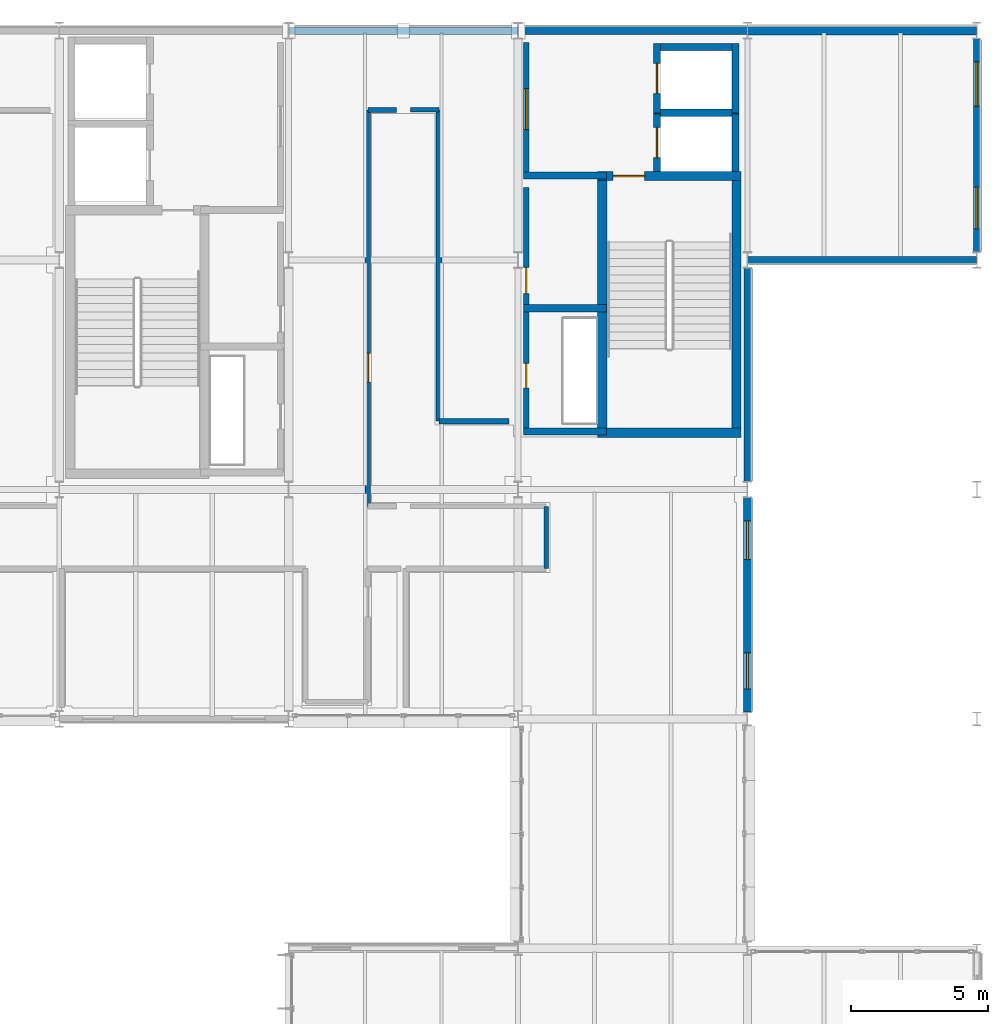
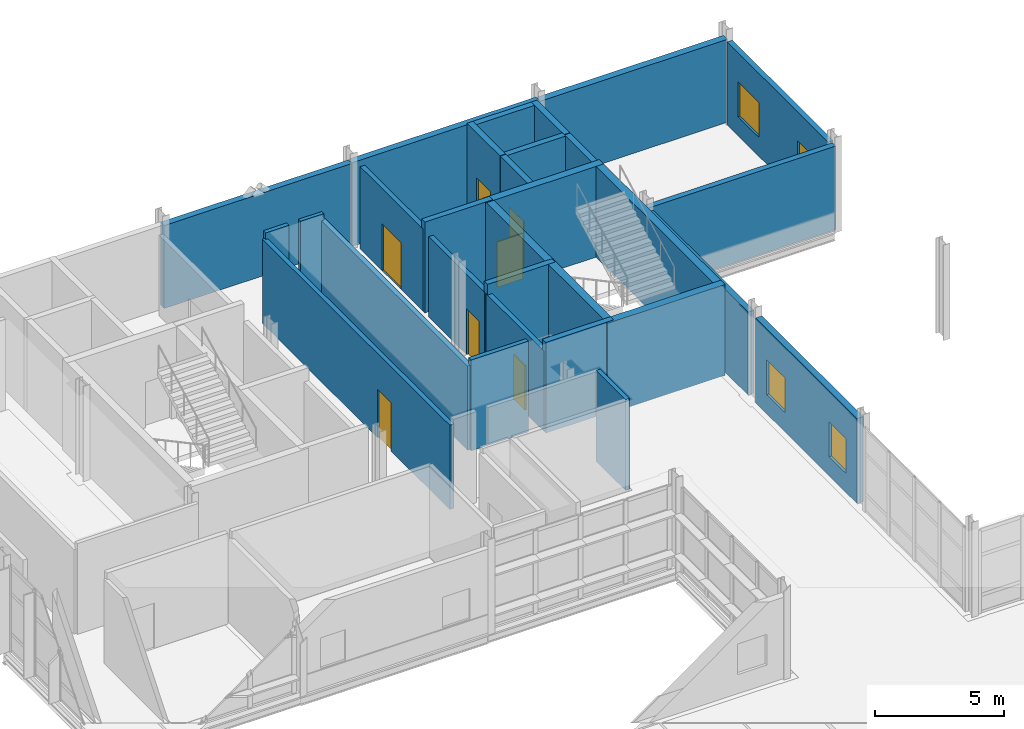
# One storey, part 104 of 129: 29 walls, 7 doors, 4 windows, 11 openings.
"""IFC4 building model written with IfcOpenShell, lengths in metres."""

from ifc_helpers import new_model, si_unit, direction, frame, frame_2d, origin, place, context, subcontext, project, spatial, rectangle, extrude, material, layer, layer_set, type_object, element, fill, save


model = new_model("IFC4")

# Units and contexts
model_context = context("Model", 3, precision=1e-05, world=origin(), true_north=direction((0.0, 1.0)))
body_context = subcontext(model_context, "Body", "Model", "MODEL_VIEW")
ifc_project = project(units=[si_unit("LENGTHUNIT", "METRE"), si_unit("AREAUNIT", "SQUARE_METRE"), si_unit("VOLUMEUNIT", "CUBIC_METRE"), si_unit("PLANEANGLEUNIT", "RADIAN"), si_unit("MASSUNIT", "GRAM", prefix="KILO")], contexts=[model_context])

# Site, building, storey
site_placement = place(None, origin())
site = spatial("IfcSite", under=ifc_project, at=site_placement, CompositionType="ELEMENT")
building_placement = place(site_placement, origin())
building = spatial("IfcBuilding", under=site, at=building_placement, Name="Mersafa Astral City Hall", CompositionType="ELEMENT")
storey_placement = place(building_placement, frame((0.0, 0.0, 5.39990234375)))
storey = spatial("IfcBuildingStorey", under=building, at=storey_placement, Name="L01", CompositionType="ELEMENT", Elevation=5.39990234375)

# Wall, openings, windows
ifc_material_1 = material(Name="Precast concrete C40/50 insulated terracotta spandrel", Category="masonry")
ifc_layer_1 = layer(ifc_material_1, 0.235107421875, Name="Precast concrete C40/50 insulated terracotta spandrel")
ifc_layer_set_1 = layer_set([ifc_layer_1], Name="Precast concrete C40/50 insulated terracotta spandrel — ENV-WAL-EXT-235")
wall_type_1 = type_object("IfcWallType", Name="ENV-WAL-EXT-235", PredefinedType="STANDARD", material=ifc_layer_set_1)
wall_1_placement = place(storey_placement, frame((184.800048828125, 117.89599609375, 0.0), z_axis=(0.0, 0.0, 1.0), x_axis=(0.0, 1.0, 0.0)))
wall_1 = element("IfcWall", 1, at=wall_1_placement, inside=storey, type_object=wall_type_1, Name="L01 Limestone-clad exterior wall 107", PredefinedType="STANDARD", context=body_context, shape_type="SweptSolid", body=[
    extrude(rectangle(XDim=7.80810546875, YDim=0.235107421875, at=frame_2d((3.904052734375, 0.0))), origin(), (0.0, 0.0, 1.0), 3.922119140625),
])
opening_1_placement = place(wall_1_placement, frame((0.85009765625, 0.0, 0.89990234375)))
opening_1 = element("IfcOpeningElement", 2, at=opening_1_placement, cuts=wall_1, Name="Opening W-36", PredefinedType="OPENING", context=body_context, shape_type="SweptSolid", body=[
    extrude(rectangle(XDim=1.52001953125, YDim=1.64990234375, at=frame_2d((0.760009765625, 0.824951171875))), frame((0.0, 0.12744140625, 0.0), z_axis=(0.0, -1.0, 0.0), x_axis=(1.0, 0.0, 0.0)), (0.0, 0.0, 1.0), 0.255126953125),
])
opening_2_placement = place(wall_1_placement, frame((5.337890625, 0.0, 0.89990234375)))
opening_2 = element("IfcOpeningElement", 3, at=opening_2_placement, cuts=wall_1, Name="Opening W-37", PredefinedType="OPENING", context=body_context, shape_type="SweptSolid", body=[
    extrude(rectangle(XDim=1.6201171875, YDim=1.64990234375, at=frame_2d((0.81005859375, 0.824951171875))), frame((0.0, 0.12744140625, 0.0), z_axis=(0.0, -1.0, 0.0), x_axis=(1.0, 0.0, 0.0)), (0.0, 0.0, 1.0), 0.255126953125),
])
ifc_material_2 = material(Name="Solar control low-e double glazing in bronze frame", Category="glass")
window_type_1 = type_object("IfcWindowType", Name="ENV-WIN-W-36", PartitioningType="SINGLE_PANEL", PredefinedType="WINDOW", material=ifc_material_2)
window_1_placement = place(opening_1_placement, origin())
window_1 = element("IfcWindow", 4, at=window_1_placement, inside=storey, type_object=window_type_1, Name="L01 Solar punched window 107-L", OverallHeight=1.64990234375, OverallWidth=1.52001953125, PartitioningType="SINGLE_PANEL", PredefinedType="WINDOW", context=body_context, shape_type="SweptSolid", body=[
    extrude(rectangle(XDim=1.52001953125, YDim=1.64990234375, at=frame_2d((0.760009765625, 0.824951171875))), frame((0.0, 0.030029296875, 0.0), z_axis=(0.0, -1.0, 0.0), x_axis=(1.0, 0.0, 0.0)), (0.0, 0.0, 1.0), 0.06005859375),
])
fill(opening_1, window_1)
window_type_2 = type_object("IfcWindowType", Name="ENV-WIN-W-37", PartitioningType="SINGLE_PANEL", PredefinedType="WINDOW", material=ifc_material_2)
window_2_placement = place(opening_2_placement, origin())
window_2 = element("IfcWindow", 5, at=window_2_placement, inside=storey, type_object=window_type_2, Name="L01 Solar punched window 107-R", OverallHeight=1.64990234375, OverallWidth=1.6201171875, PartitioningType="SINGLE_PANEL", PredefinedType="WINDOW", context=body_context, shape_type="SweptSolid", body=[
    extrude(rectangle(XDim=1.6201171875, YDim=1.64990234375, at=frame_2d((0.81005859375, 0.824951171875))), frame((0.0, 0.030029296875, 0.0), z_axis=(0.0, -1.0, 0.0), x_axis=(1.0, 0.0, 0.0)), (0.0, 0.0, 1.0), 0.06005859375),
])
fill(opening_2, window_2)

# Walls
ifc_layer_2 = layer(ifc_material_1, 0.25, Name="Precast concrete C40/50 insulated terracotta spandrel")
ifc_layer_set_2 = layer_set([ifc_layer_2], Name="Precast concrete C40/50 insulated terracotta spandrel — ENV-WAL-EXT-250")
wall_type_2 = type_object("IfcWallType", Name="ENV-WAL-EXT-250", PredefinedType="STANDARD", material=ifc_layer_set_2)
wall_2_placement = place(storey_placement, frame((176.407958984375, 117.60009765625, 0.0), z_axis=(0.0, 0.0, 1.0), x_axis=(1.0, 0.0, 0.0)))
element("IfcWall", 6, at=wall_2_placement, inside=storey, type_object=wall_type_2, Name="L01 Limestone-clad exterior wall 106", PredefinedType="STANDARD", context=body_context, shape_type="SweptSolid", body=[
    extrude(rectangle(XDim=8.384033203125, YDim=0.25, at=frame_2d((4.19189453125, 0.0))), origin(), (0.0, 0.0, 1.0), 3.9521484375),
])
ifc_material_3 = material(Name="Precast concrete C40/50 insulated limestone wall", Category="masonry")
ifc_layer_3 = layer(ifc_material_3, 0.264892578125, Name="Precast concrete C40/50 insulated limestone wall")
ifc_layer_set_3 = layer_set([ifc_layer_3], Name="Precast concrete C40/50 insulated limestone wall — ENV-WAL-EXT-265")
wall_type_3 = type_object("IfcWallType", Name="ENV-WAL-EXT-265", PredefinedType="STANDARD", material=ifc_layer_set_3)
wall_3_placement = place(storey_placement, frame((176.39990234375, 109.49609375, 0.0), z_axis=(0.0, 0.0, 1.0), x_axis=(0.0, 1.0, 0.0)))
element("IfcWall", 7, at=wall_3_placement, inside=storey, type_object=wall_type_3, Name="L01 Limestone-clad exterior wall 105", PredefinedType="STANDARD", context=body_context, shape_type="SweptSolid", body=[
    extrude(rectangle(XDim=7.807861328125, YDim=0.264892578125, at=frame_2d((3.90380859375, 0.0))), origin(), (0.0, 0.0, 1.0), 3.922119140625),
])

# Wall, openings, windows
ifc_layer_4 = layer(ifc_material_3, 0.280029296875, Name="Precast concrete C40/50 insulated limestone wall")
ifc_layer_set_4 = layer_set([ifc_layer_4], Name="Precast concrete C40/50 insulated limestone wall — ENV-WAL-EXT-280")
wall_type_4 = type_object("IfcWallType", Name="ENV-WAL-EXT-280", PredefinedType="STANDARD", material=ifc_layer_set_4)
wall_4_placement = place(storey_placement, frame((176.39990234375, 101.0458984375, 0.0), z_axis=(0.0, 0.0, 1.0), x_axis=(0.0, 1.0, 0.0)))
wall_4 = element("IfcWall", 8, at=wall_4_placement, inside=storey, type_object=wall_type_4, Name="L01 Limestone-clad exterior wall 104", PredefinedType="STANDARD", context=body_context, shape_type="SweptSolid", body=[
    extrude(rectangle(XDim=7.858154296875, YDim=0.280029296875, at=frame_2d((3.92919921875, 0.0))), origin(), (0.0, 0.0, 1.0), 4.01220703125),
])
opening_3_placement = place(wall_4_placement, frame((0.85009765625, 0.0, 0.89990234375)))
opening_3 = element("IfcOpeningElement", 9, at=opening_3_placement, cuts=wall_4, Name="Opening W-34", PredefinedType="OPENING", context=body_context, shape_type="SweptSolid", body=[
    extrude(rectangle(XDim=1.320068359375, YDim=1.64990234375, at=frame_2d((0.66015625, 0.824951171875))), frame((0.0, 0.14990234375, 0.0), z_axis=(0.0, -1.0, 0.0), x_axis=(1.0, 0.0, 0.0)), (0.0, 0.0, 1.0), 0.300048828125),
])
opening_4_placement = place(wall_4_placement, frame((5.587890625, 0.0, 0.89990234375)))
opening_4 = element("IfcOpeningElement", 10, at=opening_4_placement, cuts=wall_4, Name="Opening W-35", PredefinedType="OPENING", context=body_context, shape_type="SweptSolid", body=[
    extrude(rectangle(XDim=1.419921875, YDim=1.64990234375, at=frame_2d((0.7099609375, 0.824951171875))), frame((0.0, 0.14990234375, 0.0), z_axis=(0.0, -1.0, 0.0), x_axis=(1.0, 0.0, 0.0)), (0.0, 0.0, 1.0), 0.300048828125),
])
window_type_3 = type_object("IfcWindowType", Name="ENV-WIN-W-34", PartitioningType="SINGLE_PANEL", PredefinedType="WINDOW", material=ifc_material_2)
window_3_placement = place(opening_3_placement, origin())
window_3 = element("IfcWindow", 11, at=window_3_placement, inside=storey, type_object=window_type_3, Name="L01 Solar punched window 104-L", OverallHeight=1.64990234375, OverallWidth=1.320068359375, PartitioningType="SINGLE_PANEL", PredefinedType="WINDOW", context=body_context, shape_type="SweptSolid", body=[
    extrude(rectangle(XDim=1.320068359375, YDim=1.64990234375, at=frame_2d((0.66015625, 0.824951171875))), frame((0.0, 0.030029296875, 0.0), z_axis=(0.0, -1.0, 0.0), x_axis=(1.0, 0.0, 0.0)), (0.0, 0.0, 1.0), 0.06005859375),
])
fill(opening_3, window_3)
window_type_4 = type_object("IfcWindowType", Name="ENV-WIN-W-35", PartitioningType="SINGLE_PANEL", PredefinedType="WINDOW", material=ifc_material_2)
window_4_placement = place(opening_4_placement, origin())
window_4 = element("IfcWindow", 12, at=window_4_placement, inside=storey, type_object=window_type_4, Name="L01 Solar punched window 104-R", OverallHeight=1.64990234375, OverallWidth=1.419921875, PartitioningType="SINGLE_PANEL", PredefinedType="WINDOW", context=body_context, shape_type="SweptSolid", body=[
    extrude(rectangle(XDim=1.419921875, YDim=1.64990234375, at=frame_2d((0.7099609375, 0.824951171875))), frame((0.0, 0.030029296875, 0.0), z_axis=(0.0, -1.0, 0.0), x_axis=(1.0, 0.0, 0.0)), (0.0, 0.0, 1.0), 0.06005859375),
])
fill(opening_4, window_4)

# Walls
wall_5_placement = place(storey_placement, frame((167.991943359375, 126.0, 0.0), z_axis=(0.0, 0.0, 1.0), x_axis=(-1.0, 0.0, 0.0)))
element("IfcWall", 13, at=wall_5_placement, inside=storey, type_object=wall_type_4, Name="L01 Limestone-clad exterior wall 110", PredefinedType="STANDARD", context=body_context, shape_type="SweptSolid", body=[
    extrude(rectangle(XDim=8.384033203125, YDim=0.280029296875, at=frame_2d((4.19189453125, 0.0))), origin(), (0.0, 0.0, 1.0), 3.922119140625),
])
ifc_layer_5 = layer(ifc_material_3, 0.294921875, Name="Precast concrete C40/50 insulated limestone wall")
ifc_layer_set_5 = layer_set([ifc_layer_5], Name="Precast concrete C40/50 insulated limestone wall — ENV-WAL-EXT-295")
wall_type_5 = type_object("IfcWallType", Name="ENV-WAL-EXT-295", PredefinedType="STANDARD", material=ifc_layer_set_5)
wall_6_placement = place(storey_placement, frame((176.39208984375, 126.0, 0.0), z_axis=(0.0, 0.0, 1.0), x_axis=(-1.0, 0.0, 0.0)))
element("IfcWall", 14, at=wall_6_placement, inside=storey, type_object=wall_type_5, Name="L01 Limestone-clad exterior wall 109", PredefinedType="STANDARD", context=body_context, shape_type="SweptSolid", body=[
    extrude(rectangle(XDim=8.384033203125, YDim=0.294921875, at=frame_2d((4.19189453125, 0.0))), origin(), (0.0, 0.0, 1.0), 3.9521484375),
])
ifc_layer_6 = layer(ifc_material_3, 0.31005859375, Name="Precast concrete C40/50 insulated limestone wall")
ifc_layer_set_6 = layer_set([ifc_layer_6], Name="Precast concrete C40/50 insulated limestone wall — ENV-WAL-EXT-310")
wall_type_6 = type_object("IfcWallType", Name="ENV-WAL-EXT-310", PredefinedType="STANDARD", material=ifc_layer_set_6)
wall_7_placement = place(storey_placement, frame((184.7919921875, 126.0, 0.0), z_axis=(0.0, 0.0, 1.0), x_axis=(-1.0, 0.0, 0.0)))
element("IfcWall", 15, at=wall_7_placement, inside=storey, type_object=wall_type_6, Name="L01 Limestone-clad exterior wall 108", PredefinedType="STANDARD", context=body_context, shape_type="SweptSolid", body=[
    extrude(rectangle(XDim=8.384033203125, YDim=0.31005859375, at=frame_2d((4.19189453125, 0.0))), origin(), (0.0, 0.0, 1.0), 3.922119140625),
])
ifc_material_4 = material(Name="Concrete C40/50", Category="concrete")
ifc_layer_7 = layer(ifc_material_4, 0.260009765625, Name="Concrete C40/50")
ifc_layer_set_7 = layer_set([ifc_layer_7], Name="Concrete C40/50 — INT-WAL-CORE-260")
wall_type_7 = type_object("IfcWallType", Name="INT-WAL-CORE-260", PredefinedType="SHEAR", material=ifc_layer_set_7)
wall_8_placement = place(storey_placement, frame((172.955078125, 122.9951171875, 0.0), z_axis=(0.0, 0.0, 1.0), x_axis=(1.0, 0.0, 0.0)))
element("IfcWall", 16, at=wall_8_placement, inside=storey, type_object=wall_type_7, Name="L01 Lift LF2 north shaft wall", PredefinedType="SHEAR", context=body_context, shape_type="SweptSolid", body=[
    extrude(rectangle(XDim=3.1298828125, YDim=0.260009765625, at=frame_2d((1.56494140625, 0.0))), origin(), (0.0, 0.0, 1.0), 4.2900390625),
])
wall_9_placement = place(storey_placement, frame((175.955078125, 120.846923828125, 0.0), z_axis=(0.0, 0.0, 1.0), x_axis=(0.0, 1.0, 0.0)))
element("IfcWall", 17, at=wall_9_placement, inside=storey, type_object=wall_type_7, Name="L01 Lift LF2 back shaft wall", PredefinedType="SHEAR", context=body_context, shape_type="SweptSolid", body=[
    extrude(rectangle(XDim=2.108154296875, YDim=0.260009765625, at=frame_2d((1.05419921875, 0.0))), origin(), (0.0, 0.0, 1.0), 4.2900390625),
])

# Wall, opening, door
wall_10_placement = place(storey_placement, frame((173.0849609375, 120.846923828125, 0.0), z_axis=(0.0, 0.0, 1.0), x_axis=(0.0, 1.0, 0.0)))
wall_10 = element("IfcWall", 18, at=wall_10_placement, inside=storey, type_object=wall_type_7, Name="L01 Lift LF2 front shaft wall", PredefinedType="SHEAR", context=body_context, shape_type="SweptSolid", body=[
    extrude(rectangle(XDim=2.108154296875, YDim=0.260009765625, at=frame_2d((1.05419921875, 0.0))), origin(), (0.0, 0.0, 1.0), 4.2900390625),
])
opening_5_placement = place(wall_10_placement, frame((0.50390625, 0.0, 0.0)))
opening_5 = element("IfcOpeningElement", 19, at=opening_5_placement, cuts=wall_10, Name="Opening LD-1", PredefinedType="OPENING", context=body_context, shape_type="SweptSolid", body=[
    extrude(rectangle(XDim=1.10009765625, YDim=2.14990234375, at=frame_2d((0.550048828125, 1.074951171875))), frame((0.0, 0.139892578125, 0.0), z_axis=(0.0, -1.0, 0.0), x_axis=(1.0, 0.0, 0.0)), (0.0, 0.0, 1.0), 0.280029296875),
])
ifc_material_5 = material(Name="Stainless steel sliding lift landing door", Category="steel")
door_type_1 = type_object("IfcDoorType", Name="INT-DR-LIFT-LD1", OperationType="NOTDEFINED", PredefinedType="DOOR", material=ifc_material_5)
door_1_placement = place(opening_5_placement, origin())
door_1 = element("IfcDoor", 20, at=door_1_placement, inside=storey, type_object=door_type_1, Name="Elevator LF2 Sliding Landing Door L01", OperationType="DOUBLE_DOOR_SLIDING", OverallHeight=2.14990234375, OverallWidth=1.10009765625, PredefinedType="DOOR", context=body_context, shape_type="SweptSolid", body=[
    extrude(rectangle(XDim=1.10009765625, YDim=2.14990234375, at=frame_2d((0.550048828125, 1.074951171875))), frame((0.0, 0.02490234375, 0.0), z_axis=(0.0, -1.0, 0.0), x_axis=(1.0, 0.0, 0.0)), (0.0, 0.0, 1.0), 0.050048828125),
])
fill(opening_5, door_1)

# Walls
wall_11_placement = place(storey_placement, frame((172.955078125, 125.39501953125, 0.0), z_axis=(0.0, 0.0, 1.0), x_axis=(1.0, 0.0, 0.0)))
element("IfcWall", 21, at=wall_11_placement, inside=storey, type_object=wall_type_7, Name="L01 Lift LF4 north shaft wall", PredefinedType="SHEAR", context=body_context, shape_type="SweptSolid", body=[
    extrude(rectangle(XDim=3.1298828125, YDim=0.260009765625, at=frame_2d((1.56494140625, 0.0))), origin(), (0.0, 0.0, 1.0), 4.2900390625),
])
wall_12_placement = place(storey_placement, frame((175.955078125, 122.985107421875, 0.0), z_axis=(0.0, 0.0, 1.0), x_axis=(0.0, 1.0, 0.0)))
element("IfcWall", 22, at=wall_12_placement, inside=storey, type_object=wall_type_7, Name="L01 Lift LF4 back shaft wall", PredefinedType="SHEAR", context=body_context, shape_type="SweptSolid", body=[
    extrude(rectangle(XDim=2.539794921875, YDim=0.260009765625, at=frame_2d((1.27001953125, 0.0))), origin(), (0.0, 0.0, 1.0), 4.2900390625),
])

# Wall, opening, door
wall_13_placement = place(storey_placement, frame((173.0849609375, 122.985107421875, 0.0), z_axis=(0.0, 0.0, 1.0), x_axis=(0.0, 1.0, 0.0)))
wall_13 = element("IfcWall", 23, at=wall_13_placement, inside=storey, type_object=wall_type_7, Name="L01 Lift LF4 front shaft wall", PredefinedType="SHEAR", context=body_context, shape_type="SweptSolid", body=[
    extrude(rectangle(XDim=2.539794921875, YDim=0.260009765625, at=frame_2d((1.27001953125, 0.0))), origin(), (0.0, 0.0, 1.0), 4.2900390625),
])
opening_6_placement = place(wall_13_placement, frame((0.719970703125, 0.0, 0.0)))
opening_6 = element("IfcOpeningElement", 24, at=opening_6_placement, cuts=wall_13, Name="Opening LD-1", PredefinedType="OPENING", context=body_context, shape_type="SweptSolid", body=[
    extrude(rectangle(XDim=1.10009765625, YDim=2.14990234375, at=frame_2d((0.550048828125, 1.074951171875))), frame((0.0, 0.139892578125, 0.0), z_axis=(0.0, -1.0, 0.0), x_axis=(1.0, 0.0, 0.0)), (0.0, 0.0, 1.0), 0.280029296875),
])
door_2_placement = place(opening_6_placement, origin())
door_2 = element("IfcDoor", 25, at=door_2_placement, inside=storey, type_object=door_type_1, Name="Elevator LF4 Sliding Landing Door L01", OperationType="DOUBLE_DOOR_SLIDING", OverallHeight=2.14990234375, OverallWidth=1.10009765625, PredefinedType="DOOR", context=body_context, shape_type="SweptSolid", body=[
    extrude(rectangle(XDim=1.10009765625, YDim=2.14990234375, at=frame_2d((0.550048828125, 1.074951171875))), frame((0.0, 0.02490234375, 0.0), z_axis=(0.0, -1.0, 0.0), x_axis=(1.0, 0.0, 0.0)), (0.0, 0.0, 1.0), 0.050048828125),
])
fill(opening_6, door_2)

# Walls
for number, where, z_axis, x_axis, name in (
    (26, (168.199951171875, 111.320068359375, 0.0), (0.0, 0.0, 1.0), (1.0, 0.0, 0.0), "L01 Core K2 riser south wall"),
    (27, (168.199951171875, 115.8349609375, 0.0), (0.0, 0.0, 1.0), (1.0, 0.0, 0.0), "L01 Core K2 riser-restroom divider wall"),
    (28, (168.199951171875, 120.68994140625, 0.0), (0.0, 0.0, 1.0), (1.0, 0.0, 0.0), "L01 Core K2 restroom-lobby divider wall"),
):
    element("IfcWall", number, at=place(storey_placement, frame(where, z_axis=z_axis, x_axis=x_axis)), inside=storey, type_object=wall_type_7, Name=name, PredefinedType="SHEAR", context=body_context, shape_type="SweptSolid", body=[
        extrude(rectangle(XDim=3.03515625, YDim=0.260009765625, at=frame_2d((1.517578125, 0.0))), origin(), (0.0, 0.0, 1.0), 4.2900390625),
    ])
ifc_layer_8 = layer(ifc_material_4, 0.340087890625, Name="Concrete C40/50")
ifc_layer_set_8 = layer_set([ifc_layer_8], Name="Concrete C40/50 — INT-WAL-CORE-340")
wall_type_8 = type_object("IfcWallType", Name="INT-WAL-CORE-340", PredefinedType="SHEAR", material=ifc_layer_set_8)
for number, where, z_axis, x_axis, name in (
    (29, (171.0849609375, 111.10498046875, 0.0), (0.0, 0.0, 1.0), (0.0, 1.0, 0.0), "L01 Core K2 stair west shear wall"),
    (30, (175.9951171875, 111.10498046875, 0.0), (0.0, 0.0, 1.0), (0.0, 1.0, 0.0), "L01 Core K2 stair east shear wall"),
):
    element("IfcWall", number, at=place(storey_placement, frame(where, z_axis=z_axis, x_axis=x_axis)), inside=storey, type_object=wall_type_8, Name=name, PredefinedType="SHEAR", context=body_context, shape_type="SweptSolid", body=[
        extrude(rectangle(XDim=9.739990234375, YDim=0.340087890625, at=frame_2d((4.8701171875, 0.0))), origin(), (0.0, 0.0, 1.0), 4.2900390625),
    ])
wall_14_placement = place(storey_placement, frame((170.9150390625, 111.27490234375, 0.0), z_axis=(0.0, 0.0, 1.0), x_axis=(1.0, 0.0, 0.0)))
element("IfcWall", 31, at=wall_14_placement, inside=storey, type_object=wall_type_8, Name="L01 Core K2 stair south shear wall", PredefinedType="SHEAR", context=body_context, shape_type="SweptSolid", body=[
    extrude(rectangle(XDim=5.25, YDim=0.340087890625, at=frame_2d((2.625, 0.0))), origin(), (0.0, 0.0, 1.0), 4.2900390625),
])

# Wall, opening, door
wall_15_placement = place(storey_placement, frame((170.9150390625, 120.675048828125, 0.0), z_axis=(0.0, 0.0, 1.0), x_axis=(1.0, 0.0, 0.0)))
wall_15 = element("IfcWall", 32, at=wall_15_placement, inside=storey, type_object=wall_type_8, Name="L01 Core K2 stair-lobby fire wall", PredefinedType="SHEAR", context=body_context, shape_type="SweptSolid", body=[
    extrude(rectangle(XDim=5.25, YDim=0.340087890625, at=frame_2d((2.625, 0.0))), origin(), (0.0, 0.0, 1.0), 4.2900390625),
])
opening_7_placement = place(wall_15_placement, frame((0.56494140625, 0.0, 0.0)))
opening_7 = element("IfcOpeningElement", 33, at=opening_7_placement, cuts=wall_15, Name="Opening CD-1", PredefinedType="OPENING", context=body_context, shape_type="SweptSolid", body=[
    extrude(rectangle(XDim=1.14990234375, YDim=2.14990234375, at=frame_2d((0.574951171875, 1.074951171875))), frame((0.0, 0.179931640625, 0.0), z_axis=(0.0, -1.0, 0.0), x_axis=(1.0, 0.0, 0.0)), (0.0, 0.0, 1.0), 0.360107421875),
])
ifc_material_6 = material(Name="Fire-rated steel stair door", Category="steel")
door_type_2 = type_object("IfcDoorType", Name="INT-DR-STAIR-FD90-1150", OperationType="NOTDEFINED", PredefinedType="DOOR", material=ifc_material_6)
door_3_placement = place(opening_7_placement, origin())
door_3 = element("IfcDoor", 34, at=door_3_placement, inside=storey, type_object=door_type_2, Name="L01 Protected Stair ST2 Door", OperationType="SINGLE_SWING_LEFT", OverallHeight=2.14990234375, OverallWidth=1.14990234375, PredefinedType="DOOR", context=body_context, shape_type="SweptSolid", body=[
    extrude(rectangle(XDim=1.14990234375, YDim=2.14990234375, at=frame_2d((0.574951171875, 1.074951171875))), frame((0.0, 0.02490234375, 0.0), z_axis=(0.0, -1.0, 0.0), x_axis=(1.0, 0.0, 0.0)), (0.0, 0.0, 1.0), 0.050048828125),
])
fill(opening_7, door_3)

# Walls
ifc_material_7 = material(Name="Fire-rated gypsum stud partition", Category="gypsum")
ifc_layer_9 = layer(ifc_material_7, 0.1650390625, Name="Fire-rated gypsum stud partition")
ifc_layer_set_9 = layer_set([ifc_layer_9], Name="Fire-rated gypsum stud partition — INT-WAL-PART-EI60-165")
wall_type_9 = type_object("IfcWallType", Name="INT-WAL-PART-EI60-165", PredefinedType="STANDARD", material=ifc_layer_set_9)
wall_16_placement = place(storey_placement, frame((164.06005859375, 123.10009765625, -0.00390625), z_axis=(0.0, 0.0, 1.0), x_axis=(1.0, 0.0, 0.0)))
element("IfcWall", 35, at=wall_16_placement, inside=storey, type_object=wall_type_9, Name="L01 Interior partition wall 299", PredefinedType="STANDARD", context=body_context, shape_type="SweptSolid", body=[
    extrude(rectangle(XDim=1.0400390625, YDim=0.1650390625, at=frame_2d((0.52001953125, 0.0))), origin(), (0.0, 0.0, 1.0), 4.2939453125),
])
ifc_material_8 = material(Name="Acoustic twin-stud gypsum partition", Category="gypsum")
ifc_layer_10 = layer(ifc_material_8, 0.179931640625, Name="Acoustic twin-stud gypsum partition")
ifc_layer_set_10 = layer_set([ifc_layer_10], Name="Acoustic twin-stud gypsum partition — INT-WAL-PART-EI60-180")
wall_type_10 = type_object("IfcWallType", Name="INT-WAL-PART-EI60-180", PredefinedType="STANDARD", material=ifc_layer_set_10)
wall_17_placement = place(storey_placement, frame((169.030029296875, 106.300048828125, -0.00390625), z_axis=(0.0, 0.0, 1.0), x_axis=(0.0, 1.0, 0.0)))
element("IfcWall", 36, at=wall_17_placement, inside=storey, type_object=wall_type_10, Name="L01 Interior partition wall 294", PredefinedType="STANDARD", context=body_context, shape_type="SweptSolid", body=[
    extrude(rectangle(XDim=2.280029296875, YDim=0.179931640625, at=frame_2d((1.14013671875, 0.0))), origin(), (0.0, 0.0, 1.0), 4.2939453125),
])
wall_18_placement = place(storey_placement, frame((162.5, 123.10009765625, -0.00390625), z_axis=(0.0, 0.0, 1.0), x_axis=(1.0, 0.0, 0.0)))
element("IfcWall", 37, at=wall_18_placement, inside=storey, type_object=wall_type_10, Name="L01 Interior partition wall 298", PredefinedType="STANDARD", context=body_context, shape_type="SweptSolid", body=[
    extrude(rectangle(XDim=1.0400390625, YDim=0.179931640625, at=frame_2d((0.52001953125, 0.0))), origin(), (0.0, 0.0, 1.0), 4.2939453125),
])

# Wall, opening, door
ifc_layer_11 = layer(ifc_material_8, 0.195068359375, Name="Acoustic twin-stud gypsum partition")
ifc_layer_set_11 = layer_set([ifc_layer_11], Name="Acoustic twin-stud gypsum partition — INT-WAL-PART-EI60-195")
wall_type_11 = type_object("IfcWallType", Name="INT-WAL-PART-EI60-195", PredefinedType="STANDARD", material=ifc_layer_set_11)
wall_19_placement = place(storey_placement, frame((162.5, 108.580078125, -0.00390625), z_axis=(0.0, 0.0, 1.0), x_axis=(0.0, 1.0, 0.0)))
wall_19 = element("IfcWall", 38, at=wall_19_placement, inside=storey, type_object=wall_type_11, Name="L01 Interior partition wall 297", PredefinedType="STANDARD", context=body_context, shape_type="SweptSolid", body=[
    extrude(rectangle(XDim=14.52001953125, YDim=0.195068359375, at=frame_2d((7.260009765625, 0.0))), origin(), (0.0, 0.0, 1.0), 3.986083984375),
])
opening_8_placement = place(wall_19_placement, frame((4.56201171875, 0.0, 0.0)))
opening_8 = element("IfcOpeningElement", 39, at=opening_8_placement, cuts=wall_19, Name="Opening D-30", PredefinedType="OPENING", context=body_context, shape_type="SweptSolid", body=[
    extrude(rectangle(XDim=1.0400390625, YDim=2.300048828125, at=frame_2d((0.52001953125, 1.14990234375))), frame((0.0, 0.107421875, 0.0), z_axis=(0.0, -1.0, 0.0), x_axis=(1.0, 0.0, 0.0)), (0.0, 0.0, 1.0), 0.215087890625),
])
ifc_material_9 = material(Name="Cedar veneered acoustic fire-rated timber door", Category="wood")
door_type_3 = type_object("IfcDoorType", Name="INT-DR-RM-D-30", OperationType="NOTDEFINED", PredefinedType="DOOR", material=ifc_material_9)
door_4_placement = place(opening_8_placement, origin())
door_4 = element("IfcDoor", 40, at=door_4_placement, inside=storey, type_object=door_type_3, Name="L01 Civic Ombudsman Consultation Suite L01-05 Entrance Door", OperationType="SINGLE_SWING_RIGHT", OverallHeight=2.300048828125, OverallWidth=1.0400390625, PredefinedType="DOOR", context=body_context, shape_type="SweptSolid", body=[
    extrude(rectangle(XDim=1.0400390625, YDim=2.300048828125, at=frame_2d((0.52001953125, 1.14990234375))), frame((0.0, 0.02490234375, 0.0), z_axis=(0.0, -1.0, 0.0), x_axis=(1.0, 0.0, 0.0)), (0.0, 0.0, 1.0), 0.050048828125),
])
fill(opening_8, door_4)

# Wall
wall_20_placement = place(storey_placement, frame((165.10009765625, 111.699951171875, -0.00390625), z_axis=(0.0, 0.0, 1.0), x_axis=(1.0, 0.0, 0.0)))
element("IfcWall", 41, at=wall_20_placement, inside=storey, type_object=wall_type_11, Name="L01 Interior partition wall 301", PredefinedType="STANDARD", context=body_context, shape_type="SweptSolid", body=[
    extrude(rectangle(XDim=2.559814453125, YDim=0.195068359375, at=frame_2d((1.27978515625, 0.0))), origin(), (0.0, 0.0, 1.0), 4.2939453125),
])

# Wall, opening, door
ifc_material_10 = material(Name="Autoclaved aerated concrete blockwork plastered", Category="masonry")
ifc_layer_12 = layer(ifc_material_10, 0.2099609375, Name="Autoclaved aerated concrete blockwork plastered")
ifc_layer_set_12 = layer_set([ifc_layer_12], Name="Autoclaved aerated concrete blockwork plastered — INT-WAL-PART-EI60-210")
wall_type_12 = type_object("IfcWallType", Name="INT-WAL-PART-EI60-210", PredefinedType="STANDARD", material=ifc_layer_set_12)
wall_21_placement = place(storey_placement, frame((168.300048828125, 111.320068359375, 0.0), z_axis=(0.0, 0.0, 1.0), x_axis=(0.0, 1.0, 0.0)))
wall_21 = element("IfcWall", 42, at=wall_21_placement, inside=storey, type_object=wall_type_12, Name="L01 Core K2 riser corridor partition", PredefinedType="STANDARD", context=body_context, shape_type="SweptSolid", body=[
    extrude(rectangle(XDim=4.489990234375, YDim=0.2099609375, at=frame_2d((2.2451171875, 0.0))), origin(), (0.0, 0.0, 1.0), 3.7919921875),
])
opening_9_placement = place(wall_21_placement, frame((1.60009765625, 0.0, 0.0)))
opening_9 = element("IfcOpeningElement", 43, at=opening_9_placement, cuts=wall_21, Name="Opening CD-5", PredefinedType="OPENING", context=body_context, shape_type="SweptSolid", body=[
    extrude(rectangle(XDim=0.89990234375, YDim=2.10009765625, at=frame_2d((0.449951171875, 1.050048828125))), frame((0.0, 0.114990234375, 0.0), z_axis=(0.0, -1.0, 0.0), x_axis=(1.0, 0.0, 0.0)), (0.0, 0.0, 1.0), 0.22998046875),
])
ifc_material_11 = material(Name="Fire-rated steel riser access door", Category="steel")
door_type_4 = type_object("IfcDoorType", Name="INT-DR-RISER-FD60-900", OperationType="NOTDEFINED", PredefinedType="DOOR", material=ifc_material_11)
door_5_placement = place(opening_9_placement, origin())
door_5 = element("IfcDoor", 44, at=door_5_placement, inside=storey, type_object=door_type_4, Name="L01 K2 MEP Riser Access Door", OperationType="SINGLE_SWING_LEFT", OverallHeight=2.10009765625, OverallWidth=0.89990234375, PredefinedType="DOOR", context=body_context, shape_type="SweptSolid", body=[
    extrude(rectangle(XDim=0.89990234375, YDim=2.10009765625, at=frame_2d((0.449951171875, 1.050048828125))), frame((0.0, 0.02490234375, 0.0), z_axis=(0.0, -1.0, 0.0), x_axis=(1.0, 0.0, 0.0)), (0.0, 0.0, 1.0), 0.050048828125),
])
fill(opening_9, door_5)

wall_22_placement = place(storey_placement, frame((168.300048828125, 115.919921875, 0.0), z_axis=(0.0, 0.0, 1.0), x_axis=(0.0, 1.0, 0.0)))
wall_22 = element("IfcWall", 45, at=wall_22_placement, inside=storey, type_object=wall_type_12, Name="L01 Core K2 accessible WC corridor partition", PredefinedType="STANDARD", context=body_context, shape_type="SweptSolid", body=[
    extrude(rectangle(XDim=4.330078125, YDim=0.2099609375, at=frame_2d((2.1650390625, 0.0))), origin(), (0.0, 0.0, 1.0), 3.7919921875),
])
opening_10_placement = place(wall_22_placement, frame((0.449951171875, 0.0, 0.0)))
opening_10 = element("IfcOpeningElement", 46, at=opening_10_placement, cuts=wall_22, Name="Opening CD-4", PredefinedType="OPENING", context=body_context, shape_type="SweptSolid", body=[
    extrude(rectangle(XDim=0.949951171875, YDim=2.14990234375, at=frame_2d((0.47509765625, 1.074951171875))), frame((0.0, 0.114990234375, 0.0), z_axis=(0.0, -1.0, 0.0), x_axis=(1.0, 0.0, 0.0)), (0.0, 0.0, 1.0), 0.22998046875),
])
ifc_material_12 = material(Name="Accessible timber acoustic WC door", Category="wood")
door_type_5 = type_object("IfcDoorType", Name="INT-DR-WC-FD30-950", OperationType="NOTDEFINED", PredefinedType="DOOR", material=ifc_material_12)
door_6_placement = place(opening_10_placement, origin())
door_6 = element("IfcDoor", 47, at=door_6_placement, inside=storey, type_object=door_type_5, Name="L01 K2 Accessible Restroom Door", OperationType="SINGLE_SWING_RIGHT", OverallHeight=2.14990234375, OverallWidth=0.949951171875, PredefinedType="DOOR", context=body_context, shape_type="SweptSolid", body=[
    extrude(rectangle(XDim=0.949951171875, YDim=2.14990234375, at=frame_2d((0.47509765625, 1.074951171875))), frame((0.0, 0.02490234375, 0.0), z_axis=(0.0, -1.0, 0.0), x_axis=(1.0, 0.0, 0.0)), (0.0, 0.0, 1.0), 0.050048828125),
])
fill(opening_10, door_6)

wall_23_placement = place(storey_placement, frame((168.300048828125, 120.699951171875, 0.0), z_axis=(0.0, 0.0, 1.0), x_axis=(0.0, 1.0, 0.0)))
wall_23 = element("IfcWall", 48, at=wall_23_placement, inside=storey, type_object=wall_type_12, Name="L01 Core K2 lobby corridor partition", PredefinedType="STANDARD", context=body_context, shape_type="SweptSolid", body=[
    extrude(rectangle(XDim=4.860107421875, YDim=0.2099609375, at=frame_2d((2.43017578125, 0.0))), origin(), (0.0, 0.0, 1.0), 3.882080078125),
])
opening_11_placement = place(wall_23_placement, frame((1.679931640625, 0.0, 0.0)))
opening_11 = element("IfcOpeningElement", 49, at=opening_11_placement, cuts=wall_23, Name="Opening CD-3", PredefinedType="OPENING", context=body_context, shape_type="SweptSolid", body=[
    extrude(rectangle(XDim=1.5, YDim=2.199951171875, at=frame_2d((0.75, 1.10009765625))), frame((0.0, 0.114990234375, 0.0), z_axis=(0.0, -1.0, 0.0), x_axis=(1.0, 0.0, 0.0)), (0.0, 0.0, 1.0), 0.22998046875),
])
ifc_material_13 = material(Name="Fire-rated glazed lobby door pair", Category="metal")
door_type_6 = type_object("IfcDoorType", Name="INT-DR-LOBBY-FD90-1500", OperationType="NOTDEFINED", PredefinedType="DOOR", material=ifc_material_13)
door_7_placement = place(opening_11_placement, origin())
door_7 = element("IfcDoor", 50, at=door_7_placement, inside=storey, type_object=door_type_6, Name="L01 K2 Lift Lobby Fire Door", OperationType="DOUBLE_DOOR_SINGLE_SWING", OverallHeight=2.199951171875, OverallWidth=1.5, PredefinedType="DOOR", context=body_context, shape_type="SweptSolid", body=[
    extrude(rectangle(XDim=1.5, YDim=2.199951171875, at=frame_2d((0.75, 1.10009765625))), frame((0.0, 0.02490234375, 0.0), z_axis=(0.0, -1.0, 0.0), x_axis=(1.0, 0.0, 0.0)), (0.0, 0.0, 1.0), 0.050048828125),
])
fill(opening_11, door_7)

# Wall
wall_24_placement = place(storey_placement, frame((165.10009765625, 123.10009765625, -0.00390625), z_axis=(0.0, 0.0, 1.0), x_axis=(0.0, -1.0, 0.0)))
element("IfcWall", 51, at=wall_24_placement, inside=storey, type_object=wall_type_12, Name="L01 Interior partition wall 300", PredefinedType="STANDARD", context=body_context, shape_type="SweptSolid", body=[
    extrude(rectangle(XDim=11.400146484375, YDim=0.2099609375, at=frame_2d((5.7001953125, 0.0))), origin(), (0.0, 0.0, 1.0), 3.986083984375),
])

save(model, "model.ifc")
